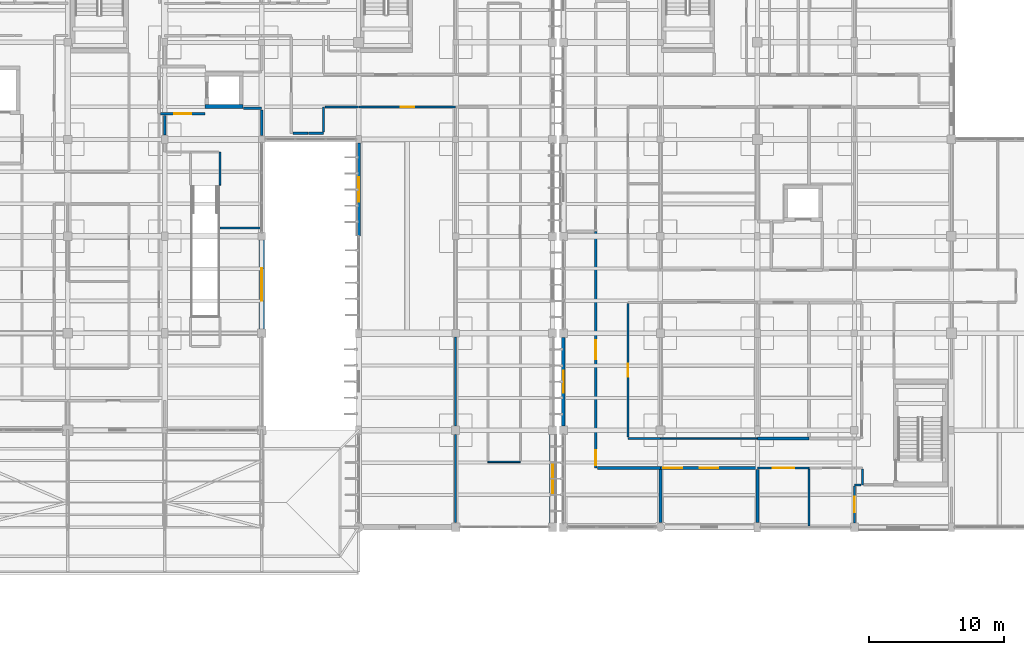
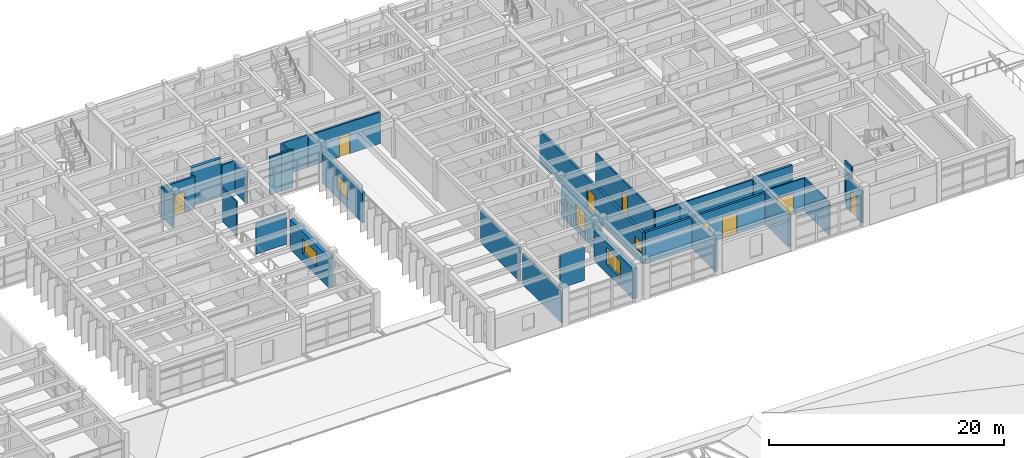
# One storey, part 77 of 100: 33 walls, 7 doors, 6 windows, 13 openings.
"""IFC4 building model written with IfcOpenShell, lengths in metres."""

from ifc_helpers import new_model, si_unit, direction, frame, frame_2d, origin, place, context, subcontext, project, spatial, rectangle, extrude, material, layer, layer_set, type_object, element, fill, save


model = new_model("IFC4")

# Units and contexts
model_context = context("Model", 3, precision=1e-05, world=origin(), true_north=direction((0.0, 1.0)))
body_context = subcontext(model_context, "Body", "Model", "MODEL_VIEW")
ifc_project = project(units=[si_unit("LENGTHUNIT", "METRE"), si_unit("AREAUNIT", "SQUARE_METRE"), si_unit("VOLUMEUNIT", "CUBIC_METRE"), si_unit("PLANEANGLEUNIT", "RADIAN"), si_unit("MASSUNIT", "GRAM", prefix="KILO")], contexts=[model_context])

# Site, building, storey
site_placement = place(None, origin())
site = spatial("IfcSite", under=ifc_project, at=site_placement, CompositionType="ELEMENT")
building_placement = place(site_placement, origin())
building = spatial("IfcBuilding", under=site, at=building_placement, Name="Steenspoor Specialist Clinic", CompositionType="ELEMENT")
storey_placement = place(building_placement, frame((0.0, 0.0, 9.0)))
storey = spatial("IfcBuildingStorey", under=building, at=storey_placement, Name="L02", CompositionType="ELEMENT", Elevation=9.0)

# Wall, opening, window
ifc_material_1 = material(Name="Extruded clay brick masonry", Category="masonry")
ifc_layer_1 = layer(ifc_material_1, 0.43994140625)
ifc_layer_set_1 = layer_set([ifc_layer_1], Name="Extruded clay brick masonry")
wall_type_1 = type_object("IfcWallType", Name="W-BRICK-440", PredefinedType="USERDEFINED", material=ifc_layer_set_1)
wall_1_placement = place(storey_placement, frame((117.199951171875, 72.050048828125, 0.0), z_axis=(0.0, 0.0, 1.0), x_axis=(0.0, -1.0, 0.0)))
wall_1 = element("IfcWall", 1, at=wall_1_placement, inside=storey, type_object=wall_type_1, Name="Exterior Brick Wall EW-V4-L02-0150", ObjectType="CAVITY VENEER", PredefinedType="USERDEFINED", context=body_context, shape_type="SweptSolid", body=[
    extrude(rectangle(XDim=6.60009765625, YDim=0.43994140625, at=frame_2d((3.300048828125, 0.0))), origin(), (0.0, 0.0, 1.0), 3.1298828125),
])
opening_1_placement = place(wall_1_placement, frame((2.10009765625, 0.0, 0.89990234375)))
opening_1 = element("IfcOpeningElement", 2, at=opening_1_placement, cuts=wall_1, Name="Opening WN-10", PredefinedType="OPENING", context=body_context, shape_type="SweptSolid", body=[
    extrude(rectangle(XDim=2.39990234375, YDim=1.800048828125, at=frame_2d((1.199951171875, 0.89990234375))), frame((0.0, 0.22998046875, 0.0), z_axis=(0.0, -1.0, 0.0), x_axis=(1.0, 0.0, 0.0)), (0.0, 0.0, 1.0), 0.4599609375),
])
ifc_material_2 = material(Name="Thermally broken aluminium and low-emissivity glass", Category="aluminium")
window_type_1 = type_object("IfcWindowType", Name="WN-EXT-240X180", PartitioningType="SINGLE_PANEL", PredefinedType="WINDOW", material=ifc_material_2)
window_1_placement = place(opening_1_placement, origin())
window_1 = element("IfcWindow", 3, at=window_1_placement, inside=storey, type_object=window_type_1, Name="Window 0176", OverallHeight=1.800048828125, OverallWidth=2.39990234375, PartitioningType="SINGLE_PANEL", PredefinedType="WINDOW", context=body_context, shape_type="SweptSolid", body=[
    extrude(rectangle(XDim=2.39990234375, YDim=1.800048828125, at=frame_2d((1.199951171875, 0.89990234375))), frame((0.0, 0.030029296875, 0.0), z_axis=(0.0, -1.0, 0.0), x_axis=(1.0, 0.0, 0.0)), (0.0, 0.0, 1.0), 0.06005859375),
])
fill(opening_1, window_1)

wall_2_placement = place(storey_placement, frame((95.60009765625, 86.47509765625, 0.0), z_axis=(0.0, 0.0, 1.0), x_axis=(0.0, -1.0, 0.0)))
wall_2 = element("IfcWall", 4, at=wall_2_placement, inside=storey, type_object=wall_type_1, Name="Exterior Brick Wall EW-V4-L02-0154", ObjectType="CAVITY VENEER", PredefinedType="USERDEFINED", context=body_context, shape_type="SweptSolid", body=[
    extrude(rectangle(XDim=6.625, YDim=0.43994140625, at=frame_2d((3.3125, 0.0))), origin(), (0.0, 0.0, 1.0), 3.1298828125),
])
opening_2_placement = place(wall_2_placement, frame((2.112548828125, 0.0, 0.89990234375)))
opening_2 = element("IfcOpeningElement", 5, at=opening_2_placement, cuts=wall_2, Name="Opening WN-14", PredefinedType="OPENING", context=body_context, shape_type="SweptSolid", body=[
    extrude(rectangle(XDim=2.39990234375, YDim=1.5, at=frame_2d((1.199951171875, 0.75))), frame((0.0, 0.22998046875, 0.0), z_axis=(0.0, -1.0, 0.0), x_axis=(1.0, 0.0, 0.0)), (0.0, 0.0, 1.0), 0.4599609375),
])
window_type_2 = type_object("IfcWindowType", Name="WN-EXT-240X150", PartitioningType="SINGLE_PANEL", PredefinedType="WINDOW", material=ifc_material_2)
window_2_placement = place(opening_2_placement, origin())
window_2 = element("IfcWindow", 6, at=window_2_placement, inside=storey, type_object=window_type_2, Name="Window 0180", OverallHeight=1.5, OverallWidth=2.39990234375, PartitioningType="SINGLE_PANEL", PredefinedType="WINDOW", context=body_context, shape_type="SweptSolid", body=[
    extrude(rectangle(XDim=2.39990234375, YDim=1.5, at=frame_2d((1.199951171875, 0.75))), frame((0.0, 0.030029296875, 0.0), z_axis=(0.0, -1.0, 0.0), x_axis=(1.0, 0.0, 0.0)), (0.0, 0.0, 1.0), 0.06005859375),
])
fill(opening_2, window_2)

# Walls
ifc_material_3 = material(Name="Gypsum acoustic clinical partition", Category="gypsum")
ifc_layer_2 = layer(ifc_material_3, 0.14990234375)
ifc_layer_set_2 = layer_set([ifc_layer_2], Name="Gypsum acoustic clinical partition")
wall_type_2 = type_object("IfcWallType", Name="W-CLIN-150", PredefinedType="PARTITIONING", material=ifc_layer_set_2)
wall_3_placement = place(storey_placement, frame((100.199951171875, 94.5048828125, 0.0), z_axis=(0.0, 0.0, 1.0), x_axis=(0.0, 1.0, 0.0)))
element("IfcWall", 7, at=wall_3_placement, inside=storey, type_object=wall_type_2, Name="Interior Partition IW-V4-L02-1308", PredefinedType="PARTITIONING", context=body_context, shape_type="SweptSolid", body=[
    extrude(rectangle(XDim=1.84521484375, YDim=0.14990234375, at=frame_2d((0.922607421875, 0.0))), origin(), (0.0, 0.0, 1.0), 3.47509765625),
])
wall_4_placement = place(storey_placement, frame((100.2900390625, 96.35009765625, 0.0), z_axis=(0.0, 0.0, 1.0), x_axis=(1.0, 0.0, 0.0)))
element("IfcWall", 8, at=wall_4_placement, inside=storey, type_object=wall_type_2, Name="Interior Partition IW-V4-L02-1309", PredefinedType="PARTITIONING", context=body_context, shape_type="SweptSolid", body=[
    extrude(rectangle(XDim=2.510009765625, YDim=0.14990234375, at=frame_2d((1.2548828125, 0.0))), origin(), (0.0, 0.0, 1.0), 3.4150390625),
])

# Wall, opening, door
wall_5_placement = place(storey_placement, frame((102.81494140625, 96.35009765625, 0.0), z_axis=(0.0, 0.0, 1.0), x_axis=(1.0, 0.0, 0.0)))
wall_5 = element("IfcWall", 9, at=wall_5_placement, inside=storey, type_object=wall_type_2, Name="Interior Partition IW-V4-L02-1310", PredefinedType="PARTITIONING", context=body_context, shape_type="SweptSolid", body=[
    extrude(rectangle(XDim=7.18505859375, YDim=0.14990234375, at=frame_2d((3.592529296875, 0.0))), origin(), (0.0, 0.0, 1.0), 3.284912109375),
])
opening_3_placement = place(wall_5_placement, frame((3.092529296875, 0.0, 0.0)))
opening_3 = element("IfcOpeningElement", 10, at=opening_3_placement, cuts=wall_5, Name="Opening D0233", PredefinedType="OPENING", context=body_context, shape_type="SweptSolid", body=[
    extrude(rectangle(XDim=1.0, YDim=2.14990234375, at=frame_2d((0.5, 1.074951171875))), frame((0.0, 0.0849609375, 0.0), z_axis=(0.0, -1.0, 0.0), x_axis=(1.0, 0.0, 0.0)), (0.0, 0.0, 1.0), 0.169921875),
])
ifc_material_4 = material(Name="Moisture-resistant HPL accessible WC door", Category="wood")
door_type_1 = type_object("IfcDoorType", Name="DT-AWC-100X215", OperationType="NOTDEFINED", PredefinedType="DOOR", material=ifc_material_4)
door_1_placement = place(opening_3_placement, origin())
door_1 = element("IfcDoor", 11, at=door_1_placement, inside=storey, type_object=door_type_1, Name="Clinical Door D0233", OperationType="SINGLE_SWING_RIGHT", OverallHeight=2.14990234375, OverallWidth=1.0, PredefinedType="DOOR", context=body_context, shape_type="SweptSolid", body=[
    extrude(rectangle(XDim=1.0, YDim=2.14990234375, at=frame_2d((0.5, 1.074951171875))), frame((0.0, 0.02490234375, 0.0), z_axis=(0.0, -1.0, 0.0), x_axis=(1.0, 0.0, 0.0)), (0.0, 0.0, 1.0), 0.050048828125),
])
fill(opening_3, door_1)

# Walls
wall_6_placement = place(storey_placement, frame((140.199951171875, 68.300048828125, 0.0), z_axis=(0.0, 0.0, 1.0), x_axis=(0.0, 1.0, 0.0)))
element("IfcWall", 12, at=wall_6_placement, inside=storey, type_object=wall_type_2, Name="Interior Partition IW-V6-L02-1363", PredefinedType="PARTITIONING", context=body_context, shape_type="SweptSolid", body=[
    extrude(rectangle(XDim=1.159912109375, YDim=0.14990234375, at=frame_2d((0.580078125, 0.0))), origin(), (0.0, 0.0, 1.0), 3.949951171875),
])
wall_7_placement = place(storey_placement, frame((139.60009765625, 68.300048828125, 0.0), z_axis=(0.0, 0.0, 1.0), x_axis=(1.0, 0.0, 0.0)))
element("IfcWall", 13, at=wall_7_placement, inside=storey, type_object=wall_type_2, Name="Interior Partition IW-V6-L02-1364", PredefinedType="PARTITIONING", context=body_context, shape_type="SweptSolid", body=[
    extrude(rectangle(XDim=0.510009765625, YDim=0.14990234375, at=frame_2d((0.2548828125, 0.0))), origin(), (0.0, 0.0, 1.0), 3.284912109375),
])
wall_8_placement = place(storey_placement, frame((122.800048828125, 71.75, 0.0), z_axis=(0.0, 0.0, 1.0), x_axis=(1.0, 0.0, 0.0)))
element("IfcWall", 14, at=wall_8_placement, inside=storey, type_object=wall_type_2, Name="Interior Partition IW-V6-L02-1367", PredefinedType="PARTITIONING", context=body_context, shape_type="SweptSolid", body=[
    extrude(rectangle(XDim=2.39990234375, YDim=0.14990234375, at=frame_2d((1.199951171875, 0.0))), origin(), (0.0, 0.0, 1.0), 3.284912109375),
])

# Wall, opening, door
wall_9_placement = place(storey_placement, frame((122.800048828125, 71.840087890625, 0.0), z_axis=(0.0, 0.0, 1.0), x_axis=(0.0, 1.0, 0.0)))
wall_9 = element("IfcWall", 15, at=wall_9_placement, inside=storey, type_object=wall_type_2, Name="Interior Partition IW-V6-L02-1368", PredefinedType="PARTITIONING", context=body_context, shape_type="SweptSolid", body=[
    extrude(rectangle(XDim=9.919921875, YDim=0.14990234375, at=frame_2d((4.9599609375, 0.0))), origin(), (0.0, 0.0, 1.0), 3.284912109375),
])
opening_4_placement = place(wall_9_placement, frame((4.485107421875, 0.0, 0.0)))
opening_4 = element("IfcOpeningElement", 16, at=opening_4_placement, cuts=wall_9, Name="Opening D0462", PredefinedType="OPENING", context=body_context, shape_type="SweptSolid", body=[
    extrude(rectangle(XDim=0.949951171875, YDim=2.10009765625, at=frame_2d((0.47509765625, 1.050048828125))), frame((0.0, 0.0849609375, 0.0), z_axis=(0.0, -1.0, 0.0), x_axis=(1.0, 0.0, 0.0)), (0.0, 0.0, 1.0), 0.169921875),
])
ifc_material_5 = material(Name="Moisture-resistant HPL sanitary door", Category="wood")
door_type_2 = type_object("IfcDoorType", Name="DT-WC-095X210", OperationType="NOTDEFINED", PredefinedType="DOOR", material=ifc_material_5)
door_2_placement = place(opening_4_placement, origin())
door_2 = element("IfcDoor", 17, at=door_2_placement, inside=storey, type_object=door_type_2, Name="Clinical Door D0462", OperationType="SINGLE_SWING_LEFT", OverallHeight=2.10009765625, OverallWidth=0.949951171875, PredefinedType="DOOR", context=body_context, shape_type="SweptSolid", body=[
    extrude(rectangle(XDim=0.949951171875, YDim=2.10009765625, at=frame_2d((0.47509765625, 1.050048828125))), frame((0.0, 0.02490234375, 0.0), z_axis=(0.0, -1.0, 0.0), x_axis=(1.0, 0.0, 0.0)), (0.0, 0.0, 1.0), 0.050048828125),
])
fill(opening_4, door_2)

# Walls
wall_10_placement = place(storey_placement, frame((110.0, 65.489990234375, 0.0), z_axis=(0.0, 0.0, 1.0), x_axis=(0.0, 1.0, 0.0)))
element("IfcWall", 18, at=wall_10_placement, inside=storey, type_object=wall_type_2, Name="Interior Partition IW-V4-L02-1465", PredefinedType="PARTITIONING", context=body_context, shape_type="SweptSolid", body=[
    extrude(rectangle(XDim=6.544921875, YDim=0.14990234375, at=frame_2d((3.2724609375, 0.0))), origin(), (0.0, 0.0, 1.0), 3.284912109375),
])
wall_11_placement = place(storey_placement, frame((110.0, 72.6650390625, 0.0), z_axis=(0.0, 0.0, 1.0), x_axis=(0.0, 1.0, 0.0)))
element("IfcWall", 19, at=wall_11_placement, inside=storey, type_object=wall_type_2, Name="Interior Partition IW-V4-L02-1466", PredefinedType="PARTITIONING", context=body_context, shape_type="SweptSolid", body=[
    extrude(rectangle(XDim=6.594970703125, YDim=0.14990234375, at=frame_2d((3.29736328125, 0.0))), origin(), (0.0, 0.0, 1.0), 3.4150390625),
])
wall_12_placement = place(storey_placement, frame((92.5, 87.3701171875, 0.0), z_axis=(0.0, 0.0, 1.0), x_axis=(1.0, 0.0, 0.0)))
element("IfcWall", 20, at=wall_12_placement, inside=storey, type_object=wall_type_2, Name="Interior Partition IW-V4-L02-1475", PredefinedType="PARTITIONING", context=body_context, shape_type="SweptSolid", body=[
    extrude(rectangle(XDim=2.9951171875, YDim=0.14990234375, at=frame_2d((1.49755859375, 0.0))), origin(), (0.0, 0.0, 1.0), 3.215087890625),
])
wall_13_placement = place(storey_placement, frame((88.39990234375, 94.264892578125, 0.0), z_axis=(0.0, 0.0, 1.0), x_axis=(0.0, 1.0, 0.0)))
element("IfcWall", 21, at=wall_13_placement, inside=storey, type_object=wall_type_2, Name="Interior Partition IW-V4-L02-1477", PredefinedType="PARTITIONING", context=body_context, shape_type="SweptSolid", body=[
    extrude(rectangle(XDim=1.47021484375, YDim=0.14990234375, at=frame_2d((0.735107421875, 0.0))), origin(), (0.0, 0.0, 1.0), 3.385009765625),
])
wall_14_placement = place(storey_placement, frame((136.25, 65.2548828125, 0.0), z_axis=(0.0, 0.0, 1.0), x_axis=(0.0, 1.0, 0.0)))
element("IfcWall", 22, at=wall_14_placement, inside=storey, type_object=wall_type_2, Name="Interior Partition IW-V6-L02-1484", PredefinedType="PARTITIONING", context=body_context, shape_type="SweptSolid", body=[
    extrude(rectangle(XDim=4.205078125, YDim=0.14990234375, at=frame_2d((2.1025390625, 0.0))), origin(), (0.0, 0.0, 1.0), 3.47509765625),
])

# Wall, opening, door
wall_15_placement = place(storey_placement, frame((139.60009765625, 65.465087890625, 0.0), z_axis=(0.0, 0.0, 1.0), x_axis=(0.0, 1.0, 0.0)))
wall_15 = element("IfcWall", 23, at=wall_15_placement, inside=storey, type_object=wall_type_2, Name="Interior Partition IW-V6-L02-1485", PredefinedType="PARTITIONING", context=body_context, shape_type="SweptSolid", body=[
    extrude(rectangle(XDim=2.744873046875, YDim=0.14990234375, at=frame_2d((1.37255859375, 0.0))), origin(), (0.0, 0.0, 1.0), 3.284912109375),
])
opening_5_placement = place(wall_15_placement, frame((0.797607421875, 0.0, 0.0)))
opening_5 = element("IfcOpeningElement", 24, at=opening_5_placement, cuts=wall_15, Name="Opening D0459", PredefinedType="OPENING", context=body_context, shape_type="SweptSolid", body=[
    extrude(rectangle(XDim=1.14990234375, YDim=2.14990234375, at=frame_2d((0.574951171875, 1.074951171875))), frame((0.0, 0.0849609375, 0.0), z_axis=(0.0, -1.0, 0.0), x_axis=(1.0, 0.0, 0.0)), (0.0, 0.0, 1.0), 0.169921875),
])
ifc_material_6 = material(Name="Solid-core hardwood clinical door", Category="wood")
door_type_3 = type_object("IfcDoorType", Name="DT-CONS-115X215", OperationType="NOTDEFINED", PredefinedType="DOOR", material=ifc_material_6)
door_3_placement = place(opening_5_placement, origin())
door_3 = element("IfcDoor", 25, at=door_3_placement, inside=storey, type_object=door_type_3, Name="Clinical Door D0459", OperationType="SINGLE_SWING_RIGHT", OverallHeight=2.14990234375, OverallWidth=1.14990234375, PredefinedType="DOOR", context=body_context, shape_type="SweptSolid", body=[
    extrude(rectangle(XDim=1.14990234375, YDim=2.14990234375, at=frame_2d((0.574951171875, 1.074951171875))), frame((0.0, 0.02490234375, 0.0), z_axis=(0.0, -1.0, 0.0), x_axis=(1.0, 0.0, 0.0)), (0.0, 0.0, 1.0), 0.050048828125),
])
fill(opening_5, door_3)

# Wall, openings, door, window
ifc_material_7 = material(Name="Fire-rated clay blockwork masonry", Category="masonry")
ifc_layer_3 = layer(ifc_material_7, 0.219970703125)
ifc_layer_set_3 = layer_set([ifc_layer_3], Name="Fire-rated clay blockwork masonry")
wall_type_3 = type_object("IfcWallType", Name="W-FIRE-220", PredefinedType="PARTITIONING", material=ifc_layer_set_3)
wall_16_placement = place(storey_placement, frame((120.39990234375, 69.550048828125, 0.0), z_axis=(0.0, 0.0, 1.0), x_axis=(0.0, 1.0, 0.0)))
wall_16 = element("IfcWall", 26, at=wall_16_placement, inside=storey, type_object=wall_type_3, Name="Interior Partition IW-V6-L02-1270", PredefinedType="PARTITIONING", context=body_context, shape_type="SweptSolid", body=[
    extrude(rectangle(XDim=17.550048828125, YDim=0.219970703125, at=frame_2d((8.77490234375, 0.0))), origin(), (0.0, 0.0, 1.0), 3.235107421875),
])
opening_6_placement = place(wall_16_placement, frame((8.074951171875, 0.0, 0.0)))
opening_6 = element("IfcOpeningElement", 27, at=opening_6_placement, cuts=wall_16, Name="Opening D0455", PredefinedType="OPENING", context=body_context, shape_type="SweptSolid", body=[
    extrude(rectangle(XDim=1.39990234375, YDim=2.199951171875, at=frame_2d((0.699951171875, 1.10009765625))), frame((0.0, 0.1201171875, 0.0), z_axis=(0.0, -1.0, 0.0), x_axis=(1.0, 0.0, 0.0)), (0.0, 0.0, 1.0), 0.239990234375),
])
opening_7_placement = place(wall_16_placement, frame((0.199951171875, 0.0, 1.050048828125)))
opening_7 = element("IfcOpeningElement", 28, at=opening_7_placement, cuts=wall_16, Name="Opening IWN-02", PredefinedType="OPENING", context=body_context, shape_type="SweptSolid", body=[
    extrude(rectangle(XDim=1.10009765625, YDim=1.10009765625, at=frame_2d((0.550048828125, 0.550048828125))), frame((0.0, 0.1201171875, 0.0), z_axis=(0.0, -1.0, 0.0), x_axis=(1.0, 0.0, 0.0)), (0.0, 0.0, 1.0), 0.239990234375),
])
ifc_material_8 = material(Name="Fire-rated clinical laminate door", Category="steel")
door_type_4 = type_object("IfcDoorType", Name="DT-LAB-140X220", OperationType="NOTDEFINED", PredefinedType="DOOR", material=ifc_material_8)
door_4_placement = place(opening_6_placement, origin())
door_4 = element("IfcDoor", 29, at=door_4_placement, inside=storey, type_object=door_type_4, Name="Clinical Door D0455", OperationType="SINGLE_SWING_RIGHT", OverallHeight=2.199951171875, OverallWidth=1.39990234375, PredefinedType="DOOR", context=body_context, shape_type="SweptSolid", body=[
    extrude(rectangle(XDim=1.39990234375, YDim=2.199951171875, at=frame_2d((0.699951171875, 1.10009765625))), frame((0.0, 0.02490234375, 0.0), z_axis=(0.0, -1.0, 0.0), x_axis=(1.0, 0.0, 0.0)), (0.0, 0.0, 1.0), 0.050048828125),
])
fill(opening_6, door_4)
window_type_3 = type_object("IfcWindowType", Name="IWND-OBS-110X110", PartitioningType="SINGLE_PANEL", PredefinedType="WINDOW", material=ifc_material_2)
window_3_placement = place(opening_7_placement, origin())
window_3 = element("IfcWindow", 30, at=window_3_placement, inside=storey, type_object=window_type_3, Name="Observation Window 022", OverallHeight=1.10009765625, OverallWidth=1.10009765625, PartitioningType="SINGLE_PANEL", PredefinedType="WINDOW", context=body_context, shape_type="SweptSolid", body=[
    extrude(rectangle(XDim=1.10009765625, YDim=1.10009765625, at=frame_2d((0.550048828125, 0.550048828125))), frame((0.0, 0.030029296875, 0.0), z_axis=(0.0, -1.0, 0.0), x_axis=(1.0, 0.0, 0.0)), (0.0, 0.0, 1.0), 0.06005859375),
])
fill(opening_7, window_3)

# Wall
wall_17_placement = place(storey_placement, frame((120.52490234375, 69.550048828125, 0.0), z_axis=(0.0, 0.0, 1.0), x_axis=(1.0, 0.0, 0.0)))
element("IfcWall", 31, at=wall_17_placement, inside=storey, type_object=wall_type_3, Name="Interior Partition IW-V6-L02-1271", PredefinedType="PARTITIONING", context=body_context, shape_type="SweptSolid", body=[
    extrude(rectangle(XDim=4.675048828125, YDim=0.219970703125, at=frame_2d((2.33740234375, 0.0))), origin(), (0.0, 0.0, 1.0), 3.284912109375),
])

# Wall, openings, door, window
wall_18_placement = place(storey_placement, frame((125.215087890625, 69.550048828125, 0.0), z_axis=(0.0, 0.0, 1.0), x_axis=(1.0, 0.0, 0.0)))
wall_18 = element("IfcWall", 32, at=wall_18_placement, inside=storey, type_object=wall_type_3, Name="Interior Partition IW-V6-L02-1272", PredefinedType="PARTITIONING", context=body_context, shape_type="SweptSolid", body=[
    extrude(rectangle(XDim=7.184814453125, YDim=0.219970703125, at=frame_2d((3.59228515625, 0.0))), origin(), (0.0, 0.0, 1.0), 3.284912109375),
])
opening_8_placement = place(wall_18_placement, frame((2.892578125, 0.0, 0.0)))
opening_8 = element("IfcOpeningElement", 33, at=opening_8_placement, cuts=wall_18, Name="Opening D0456", PredefinedType="OPENING", context=body_context, shape_type="SweptSolid", body=[
    extrude(rectangle(XDim=1.39990234375, YDim=2.199951171875, at=frame_2d((0.699951171875, 1.10009765625))), frame((0.0, 0.1201171875, 0.0), z_axis=(0.0, -1.0, 0.0), x_axis=(1.0, 0.0, 0.0)), (0.0, 0.0, 1.0), 0.239990234375),
])
opening_9_placement = place(wall_18_placement, frame((0.199951171875, 0.0, 1.050048828125)))
opening_9 = element("IfcOpeningElement", 34, at=opening_9_placement, cuts=wall_18, Name="Opening IWN-01", PredefinedType="OPENING", context=body_context, shape_type="SweptSolid", body=[
    extrude(rectangle(XDim=1.39990234375, YDim=1.10009765625, at=frame_2d((0.699951171875, 0.550048828125))), frame((0.0, 0.1201171875, 0.0), z_axis=(0.0, -1.0, 0.0), x_axis=(1.0, 0.0, 0.0)), (0.0, 0.0, 1.0), 0.239990234375),
])
door_5_placement = place(opening_8_placement, origin())
door_5 = element("IfcDoor", 35, at=door_5_placement, inside=storey, type_object=door_type_4, Name="Clinical Door D0456", OperationType="SINGLE_SWING_LEFT", OverallHeight=2.199951171875, OverallWidth=1.39990234375, PredefinedType="DOOR", context=body_context, shape_type="SweptSolid", body=[
    extrude(rectangle(XDim=1.39990234375, YDim=2.199951171875, at=frame_2d((0.699951171875, 1.10009765625))), frame((0.0, 0.02490234375, 0.0), z_axis=(0.0, -1.0, 0.0), x_axis=(1.0, 0.0, 0.0)), (0.0, 0.0, 1.0), 0.050048828125),
])
fill(opening_8, door_5)
window_type_4 = type_object("IfcWindowType", Name="IWND-OBS-140X110", PartitioningType="SINGLE_PANEL", PredefinedType="WINDOW", material=ifc_material_2)
window_4_placement = place(opening_9_placement, origin())
window_4 = element("IfcWindow", 36, at=window_4_placement, inside=storey, type_object=window_type_4, Name="Observation Window 023", OverallHeight=1.10009765625, OverallWidth=1.39990234375, PartitioningType="SINGLE_PANEL", PredefinedType="WINDOW", context=body_context, shape_type="SweptSolid", body=[
    extrude(rectangle(XDim=1.39990234375, YDim=1.10009765625, at=frame_2d((0.699951171875, 0.550048828125))), frame((0.0, 0.030029296875, 0.0), z_axis=(0.0, -1.0, 0.0), x_axis=(1.0, 0.0, 0.0)), (0.0, 0.0, 1.0), 0.06005859375),
])
fill(opening_9, window_4)

# Walls
wall_19_placement = place(storey_placement, frame((132.39990234375, 71.75, 0.0), z_axis=(0.0, 0.0, 1.0), x_axis=(1.0, 0.0, 0.0)))
element("IfcWall", 37, at=wall_19_placement, inside=storey, type_object=wall_type_3, Name="Interior Partition IW-V6-L02-1274", PredefinedType="PARTITIONING", context=body_context, shape_type="SweptSolid", body=[
    extrude(rectangle(XDim=3.85009765625, YDim=0.219970703125, at=frame_2d((1.925048828125, 0.0))), origin(), (0.0, 0.0, 1.0), 3.455078125),
])
wall_20_placement = place(storey_placement, frame((125.199951171875, 65.489990234375, 0.0), z_axis=(0.0, 0.0, 1.0), x_axis=(0.0, 1.0, 0.0)))
element("IfcWall", 38, at=wall_20_placement, inside=storey, type_object=wall_type_3, Name="Interior Partition IW-V6-L02-1434", PredefinedType="PARTITIONING", context=body_context, shape_type="SweptSolid", body=[
    extrude(rectangle(XDim=3.93505859375, YDim=0.219970703125, at=frame_2d((1.967529296875, 0.0))), origin(), (0.0, 0.0, 1.0), 3.284912109375),
])
wall_21_placement = place(storey_placement, frame((132.39990234375, 65.514892578125, 0.0), z_axis=(0.0, 0.0, 1.0), x_axis=(0.0, 1.0, 0.0)))
element("IfcWall", 39, at=wall_21_placement, inside=storey, type_object=wall_type_3, Name="Interior Partition IW-V6-L02-1436", PredefinedType="PARTITIONING", context=body_context, shape_type="SweptSolid", body=[
    extrude(rectangle(XDim=3.91015625, YDim=0.219970703125, at=frame_2d((1.955078125, 0.0))), origin(), (0.0, 0.0, 1.0), 3.455078125),
])
ifc_material_9 = material(Name="Gypsum studio partition board", Category="gypsum")
ifc_layer_4 = layer(ifc_material_9, 0.1201171875)
ifc_layer_set_4 = layer_set([ifc_layer_4], Name="Gypsum studio partition board")
wall_type_4 = type_object("IfcWallType", Name="W-PART-120", PredefinedType="PARTITIONING", material=ifc_layer_set_4)
wall_22_placement = place(storey_placement, frame((112.39990234375, 70.0, 0.0), z_axis=(0.0, 0.0, 1.0), x_axis=(1.0, 0.0, 0.0)))
element("IfcWall", 40, at=wall_22_placement, inside=storey, type_object=wall_type_4, Name="Interior Partition IW-V4-L02-1381", PredefinedType="PARTITIONING", context=body_context, shape_type="SweptSolid", body=[
    extrude(rectangle(XDim=2.400146484375, YDim=0.1201171875, at=frame_2d((1.2001953125, 0.0))), origin(), (0.0, 0.0, 1.0), 3.514892578125),
])

# Wall, opening, door
wall_23_placement = place(storey_placement, frame((132.4150390625, 69.550048828125, 0.0), z_axis=(0.0, 0.0, 1.0), x_axis=(1.0, 0.0, 0.0)))
wall_23 = element("IfcWall", 41, at=wall_23_placement, inside=storey, type_object=wall_type_4, Name="Interior Partition IW-V6-L02-1400", PredefinedType="PARTITIONING", context=body_context, shape_type="SweptSolid", body=[
    extrude(rectangle(XDim=3.820068359375, YDim=0.1201171875, at=frame_2d((1.91015625, 0.0))), origin(), (0.0, 0.0, 1.0), 3.455078125),
])
opening_10_placement = place(wall_23_placement, frame((1.110107421875, 0.0, 0.0)))
opening_10 = element("IfcOpeningElement", 42, at=opening_10_placement, cuts=wall_23, Name="Opening D0457", PredefinedType="OPENING", context=body_context, shape_type="SweptSolid", body=[
    extrude(rectangle(XDim=1.60009765625, YDim=2.25, at=frame_2d((0.800048828125, 1.125))), frame((0.0, 0.070068359375, 0.0), z_axis=(0.0, -1.0, 0.0), x_axis=(1.0, 0.0, 0.0)), (0.0, 0.0, 1.0), 0.14013671875),
])
ifc_material_10 = material(Name="Hygienic HPL clinical timber door", Category="wood")
door_type_5 = type_object("IfcDoorType", Name="DT-PROC-160X225", OperationType="NOTDEFINED", PredefinedType="DOOR", material=ifc_material_10)
door_6_placement = place(opening_10_placement, origin())
door_6 = element("IfcDoor", 43, at=door_6_placement, inside=storey, type_object=door_type_5, Name="Clinical Door D0457", OperationType="SINGLE_SWING_RIGHT", OverallHeight=2.25, OverallWidth=1.60009765625, PredefinedType="DOOR", context=body_context, shape_type="SweptSolid", body=[
    extrude(rectangle(XDim=1.60009765625, YDim=2.25, at=frame_2d((0.800048828125, 1.125))), frame((0.0, 0.02490234375, 0.0), z_axis=(0.0, -1.0, 0.0), x_axis=(1.0, 0.0, 0.0)), (0.0, 0.0, 1.0), 0.050048828125),
])
fill(opening_10, door_6)

# Walls
wall_24_placement = place(storey_placement, frame((125.215087890625, 71.75, 0.0), z_axis=(0.0, 0.0, 1.0), x_axis=(1.0, 0.0, 0.0)))
element("IfcWall", 44, at=wall_24_placement, inside=storey, type_object=wall_type_4, Name="Interior Partition IW-V6-L02-1406", PredefinedType="PARTITIONING", context=body_context, shape_type="SweptSolid", body=[
    extrude(rectangle(XDim=7.169921875, YDim=0.1201171875, at=frame_2d((3.5849609375, 0.0))), origin(), (0.0, 0.0, 1.0), 3.284912109375),
])
wall_25_placement = place(storey_placement, frame((92.5, 90.550048828125, 0.0), z_axis=(0.0, 0.0, 1.0), x_axis=(0.0, 1.0, 0.0)))
element("IfcWall", 45, at=wall_25_placement, inside=storey, type_object=wall_type_4, Name="Interior Partition IW-V4-L02-1510", PredefinedType="PARTITIONING", context=body_context, shape_type="SweptSolid", body=[
    extrude(rectangle(XDim=2.449951171875, YDim=0.1201171875, at=frame_2d((1.22509765625, 0.0))), origin(), (0.0, 0.0, 1.0), 3.514892578125),
])
ifc_material_11 = material(Name="Moisture-resistant gypsum plumbing wall", Category="gypsum")
ifc_layer_5 = layer(ifc_material_11, 0.179931640625)
ifc_layer_set_5 = layer_set([ifc_layer_5], Name="Moisture-resistant gypsum plumbing wall")
wall_type_5 = type_object("IfcWallType", Name="W-PLUMB-180", PredefinedType="PLUMBINGWALL", material=ifc_layer_set_5)
wall_26_placement = place(storey_placement, frame((97.905029296875, 94.39990234375, 0.0), z_axis=(0.0, 0.0, 1.0), x_axis=(1.0, 0.0, 0.0)))
element("IfcWall", 46, at=wall_26_placement, inside=storey, type_object=wall_type_5, Name="Interior Partition IW-V4-L02-1290", PredefinedType="PLUMBINGWALL", context=body_context, shape_type="SweptSolid", body=[
    extrude(rectangle(XDim=1.14501953125, YDim=0.179931640625, at=frame_2d((0.572509765625, 0.0))), origin(), (0.0, 0.0, 1.0), 3.949951171875),
])
wall_27_placement = place(storey_placement, frame((99.06494140625, 94.39990234375, 0.0), z_axis=(0.0, 0.0, 1.0), x_axis=(1.0, 0.0, 0.0)))
element("IfcWall", 47, at=wall_27_placement, inside=storey, type_object=wall_type_5, Name="Interior Partition IW-V4-L02-1291", PredefinedType="PLUMBINGWALL", context=body_context, shape_type="SweptSolid", body=[
    extrude(rectangle(XDim=1.135009765625, YDim=0.179931640625, at=frame_2d((0.5673828125, 0.0))), origin(), (0.0, 0.0, 1.0), 3.949951171875),
])
wall_28_placement = place(storey_placement, frame((94.239990234375, 96.25, 0.0), z_axis=(0.0, 0.0, 1.0), x_axis=(1.0, 0.0, 0.0)))
element("IfcWall", 48, at=wall_28_placement, inside=storey, type_object=wall_type_5, Name="Interior Partition IW-V4-L02-1448", PredefinedType="PLUMBINGWALL", context=body_context, shape_type="SweptSolid", body=[
    extrude(rectangle(XDim=1.360107421875, YDim=0.179931640625, at=frame_2d((0.68017578125, 0.0))), origin(), (0.0, 0.0, 1.0), 3.284912109375),
])
wall_29_placement = place(storey_placement, frame((95.60009765625, 94.215087890625, 0.0), z_axis=(0.0, 0.0, 1.0), x_axis=(0.0, 1.0, 0.0)))
element("IfcWall", 49, at=wall_29_placement, inside=storey, type_object=wall_type_5, Name="Interior Partition IW-V4-L02-1449", PredefinedType="PLUMBINGWALL", context=body_context, shape_type="SweptSolid", body=[
    extrude(rectangle(XDim=1.929931640625, YDim=0.179931640625, at=frame_2d((0.96484375, 0.0))), origin(), (0.0, 0.0, 1.0), 3.284912109375),
])

# Wall, opening, window
ifc_layer_6 = layer(ifc_material_1, 0.260009765625)
ifc_layer_set_6 = layer_set([ifc_layer_6], Name="Extruded clay brick masonry")
wall_type_6 = type_object("IfcWallType", Name="W-SCREEN-260", PredefinedType="SOLIDWALL", material=ifc_layer_set_6)
wall_30_placement = place(storey_placement, frame((102.800048828125, 86.762451171875, 0.0), z_axis=(0.0, 0.0, 1.0), x_axis=(0.0, 1.0, 0.0)))
wall_30 = element("IfcWall", 50, at=wall_30_placement, inside=storey, type_object=wall_type_6, Name="Exterior Brick Wall EW-V4-L02-0153", PredefinedType="SOLIDWALL", context=body_context, shape_type="SweptSolid", body=[
    extrude(rectangle(XDim=6.91259765625, YDim=0.260009765625, at=frame_2d((3.456298828125, 0.0))), origin(), (0.0, 0.0, 1.0), 3.1298828125),
])
opening_11_placement = place(wall_30_placement, frame((2.556396484375, 0.0, 0.89990234375)))
opening_11 = element("IfcOpeningElement", 51, at=opening_11_placement, cuts=wall_30, Name="Opening WN-13", PredefinedType="OPENING", context=body_context, shape_type="SweptSolid", body=[
    extrude(rectangle(XDim=1.800048828125, YDim=1.5, at=frame_2d((0.89990234375, 0.75))), frame((0.0, 0.14013671875, 0.0), z_axis=(0.0, -1.0, 0.0), x_axis=(1.0, 0.0, 0.0)), (0.0, 0.0, 1.0), 0.280029296875),
])
window_type_5 = type_object("IfcWindowType", Name="WN-EXT-180X150", PartitioningType="SINGLE_PANEL", PredefinedType="WINDOW", material=ifc_material_2)
window_5_placement = place(opening_11_placement, origin())
window_5 = element("IfcWindow", 52, at=window_5_placement, inside=storey, type_object=window_type_5, Name="Window 0179", OverallHeight=1.5, OverallWidth=1.800048828125, PartitioningType="SINGLE_PANEL", PredefinedType="WINDOW", context=body_context, shape_type="SweptSolid", body=[
    extrude(rectangle(XDim=1.800048828125, YDim=1.5, at=frame_2d((0.89990234375, 0.75))), frame((0.0, 0.030029296875, 0.0), z_axis=(0.0, -1.0, 0.0), x_axis=(1.0, 0.0, 0.0)), (0.0, 0.0, 1.0), 0.06005859375),
])
fill(opening_11, window_5)

wall_31_placement = place(storey_placement, frame((118.0, 72.64990234375, 0.0), z_axis=(0.0, 0.0, 1.0), x_axis=(0.0, 1.0, 0.0)))
wall_31 = element("IfcWall", 53, at=wall_31_placement, inside=storey, type_object=wall_type_6, Name="Exterior Brick Wall EW-V6-L02-0329", PredefinedType="SOLIDWALL", context=body_context, shape_type="SweptSolid", body=[
    extrude(rectangle(XDim=6.60009765625, YDim=0.260009765625, at=frame_2d((3.300048828125, 0.0))), origin(), (0.0, 0.0, 1.0), 3.1298828125),
])
opening_12_placement = place(wall_31_placement, frame((2.5, 0.0, 0.60009765625)))
opening_12 = element("IfcOpeningElement", 54, at=opening_12_placement, cuts=wall_31, Name="Opening WN-16", PredefinedType="OPENING", context=body_context, shape_type="SweptSolid", body=[
    extrude(rectangle(XDim=1.60009765625, YDim=2.199951171875, at=frame_2d((0.800048828125, 1.10009765625))), frame((0.0, 0.14013671875, 0.0), z_axis=(0.0, -1.0, 0.0), x_axis=(1.0, 0.0, 0.0)), (0.0, 0.0, 1.0), 0.280029296875),
])
window_type_6 = type_object("IfcWindowType", Name="WN-EXT-160X220", PartitioningType="SINGLE_PANEL", PredefinedType="WINDOW", material=ifc_material_2)
window_6_placement = place(opening_12_placement, origin())
window_6 = element("IfcWindow", 55, at=window_6_placement, inside=storey, type_object=window_type_6, Name="Window 0350", OverallHeight=2.199951171875, OverallWidth=1.60009765625, PartitioningType="SINGLE_PANEL", PredefinedType="WINDOW", context=body_context, shape_type="SweptSolid", body=[
    extrude(rectangle(XDim=1.60009765625, YDim=2.199951171875, at=frame_2d((0.800048828125, 1.10009765625))), frame((0.0, 0.030029296875, 0.0), z_axis=(0.0, -1.0, 0.0), x_axis=(1.0, 0.0, 0.0)), (0.0, 0.0, 1.0), 0.06005859375),
])
fill(opening_12, window_6)

# Wall, opening, door
ifc_material_12 = material(Name="Gypsum acoustic smoke barrier board", Category="gypsum")
ifc_layer_7 = layer(ifc_material_12, 0.199951171875)
ifc_layer_set_7 = layer_set([ifc_layer_7], Name="Gypsum acoustic smoke barrier board")
wall_type_7 = type_object("IfcWallType", Name="W-SMOKE-200", PredefinedType="PARTITIONING", material=ifc_layer_set_7)
wall_32_placement = place(storey_placement, frame((88.090087890625, 95.85009765625, 0.0), z_axis=(0.0, 0.0, 1.0), x_axis=(1.0, 0.0, 0.0)))
wall_32 = element("IfcWall", 56, at=wall_32_placement, inside=storey, type_object=wall_type_7, Name="Interior Partition IW-V4-L02-1249", PredefinedType="PARTITIONING", context=body_context, shape_type="SweptSolid", body=[
    extrude(rectangle(XDim=3.284912109375, YDim=0.199951171875, at=frame_2d((1.642578125, 0.0))), origin(), (0.0, 0.0, 1.0), 3.385009765625),
])
opening_13_placement = place(wall_32_placement, frame((1.017578125, 0.0, 0.0)))
opening_13 = element("IfcOpeningElement", 57, at=opening_13_placement, cuts=wall_32, Name="Opening D0242", PredefinedType="OPENING", context=body_context, shape_type="SweptSolid", body=[
    extrude(rectangle(XDim=1.25, YDim=2.14990234375, at=frame_2d((0.625, 1.074951171875))), frame((0.0, 0.10986328125, 0.0), z_axis=(0.0, -1.0, 0.0), x_axis=(1.0, 0.0, 0.0)), (0.0, 0.0, 1.0), 0.219970703125),
])
door_type_6 = type_object("IfcDoorType", Name="DT-EXAM-125X215", OperationType="NOTDEFINED", PredefinedType="DOOR", material=ifc_material_10)
door_7_placement = place(opening_13_placement, origin())
door_7 = element("IfcDoor", 58, at=door_7_placement, inside=storey, type_object=door_type_6, Name="Clinical Door D0242", OperationType="SINGLE_SWING_LEFT", OverallHeight=2.14990234375, OverallWidth=1.25, PredefinedType="DOOR", context=body_context, shape_type="SweptSolid", body=[
    extrude(rectangle(XDim=1.25, YDim=2.14990234375, at=frame_2d((0.625, 1.074951171875))), frame((0.0, 0.02490234375, 0.0), z_axis=(0.0, -1.0, 0.0), x_axis=(1.0, 0.0, 0.0)), (0.0, 0.0, 1.0), 0.050048828125),
])
fill(opening_13, door_7)

# Wall
ifc_material_13 = material(Name="Concrete C40/50", Category="concrete")
ifc_layer_8 = layer(ifc_material_13, 0.300048828125)
ifc_layer_set_8 = layer_set([ifc_layer_8], Name="Concrete C40/50")
wall_type_8 = type_object("IfcWallType", Name="W-SW-300", PredefinedType="SHEAR", material=ifc_layer_set_8)
wall_33_placement = place(storey_placement, frame((91.375, 96.39990234375, 0.0), z_axis=(0.0, 0.0, 1.0), x_axis=(1.0, 0.0, 0.0)))
element("IfcWall", 59, at=wall_33_placement, inside=storey, type_object=wall_type_8, Name="Lift Shaft Shear Wall SW-EL-P1-L02-S", PredefinedType="SHEAR", context=body_context, shape_type="SweptSolid", body=[
    extrude(rectangle(XDim=2.85009765625, YDim=0.300048828125, at=frame_2d((1.425048828125, 0.0))), origin(), (0.0, 0.0, 1.0), 3.949951171875),
])

save(model, "model.ifc")
